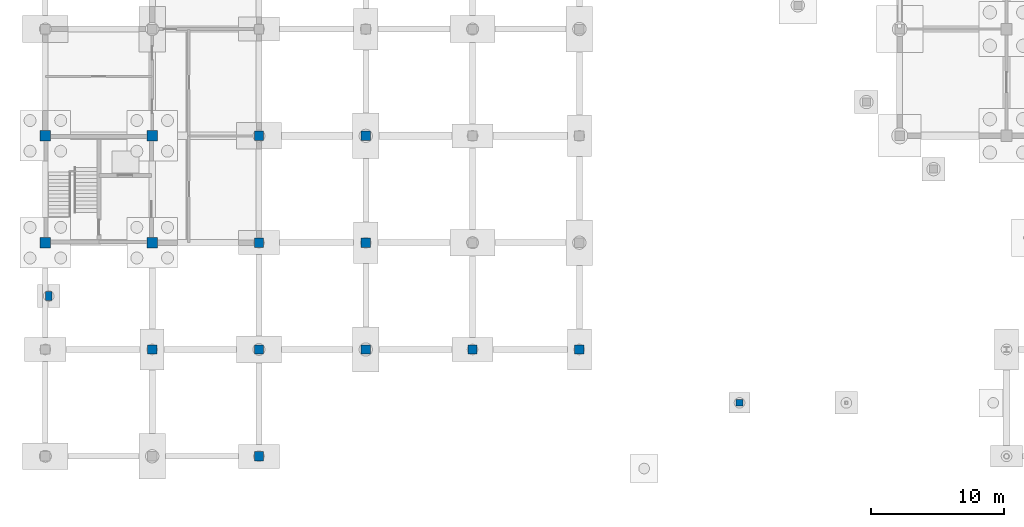
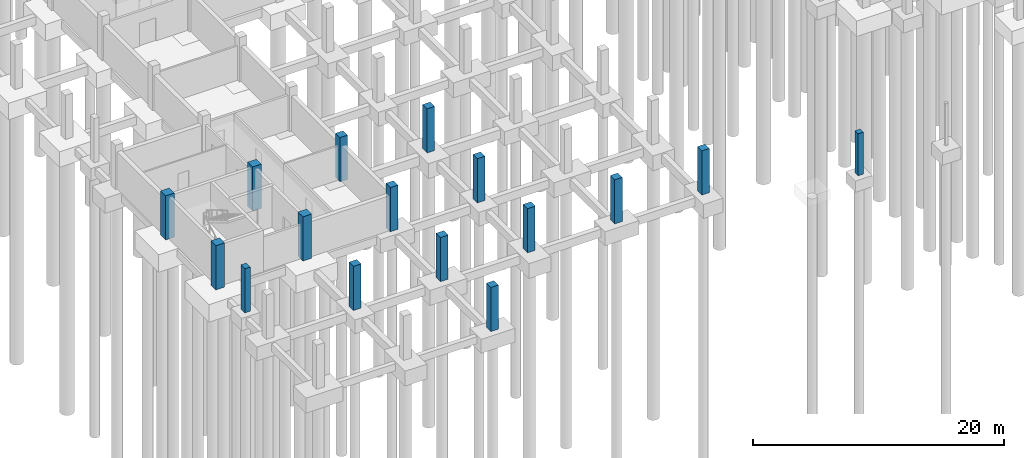
# One storey, part 12 of 48: 16 columns.
"""IFC4 building model written with IfcOpenShell, lengths in metres."""

from ifc_helpers import new_model, si_unit, derived_unit, direction, frame, origin, origin_2d, place, context, subcontext, project, spatial, rectangle, extrude, material, material_profile, profile_set, type_object, element, save


model = new_model("IFC4")

# Units and contexts
model_context = context("Model", 3, precision=1e-05, world=origin(), true_north=direction((0.0, 1.0)))
body_context = subcontext(model_context, "Body", "Model", "MODEL_VIEW")
ifc_project = project(units=[si_unit("LENGTHUNIT", "METRE"), si_unit("AREAUNIT", "SQUARE_METRE"), si_unit("VOLUMEUNIT", "CUBIC_METRE"), si_unit("PLANEANGLEUNIT", "RADIAN"), si_unit("MASSUNIT", "GRAM", prefix="KILO"), derived_unit("THERMALTRANSMITTANCEUNIT", [(si_unit("MASSUNIT", "GRAM", prefix="KILO"), 1), (si_unit("TIMEUNIT", "SECOND"), -3), (si_unit("THERMODYNAMICTEMPERATUREUNIT", "KELVIN"), -1)])], contexts=[model_context])

# Site, building, storey
site_placement = place(None, origin())
site = spatial("IfcSite", under=ifc_project, at=site_placement, CompositionType="ELEMENT")
building_placement = place(site_placement, origin())
building = spatial("IfcBuilding", under=site, at=building_placement, Name="Veyamyaing Civic Hall", CompositionType="ELEMENT")
storey_placement = place(building_placement, frame((0.0, 0.0, -4.2900390625)))
storey = spatial("IfcBuildingStorey", under=building, at=storey_placement, Name="B1", CompositionType="ELEMENT", Elevation=-4.2900390625)

# Columns
ifc_material = material(Name="Concrete C45/55", Category="concrete")
ifc_material_profile_1 = material_profile(ifc_material, rectangle(XDim=0.800048828125, YDim=0.800048828125, at=origin_2d()), Name="RC-COL-800X800")
ifc_profile_set_1 = profile_set([ifc_material_profile_1], Name="Concrete C45/55")
column_type_1 = type_object("IfcColumnType", Name="C-02", PredefinedType="COLUMN", material=ifc_profile_set_1)
for number, where, z_axis, x_axis, name in (
    (1, (0.0, 16.0, 0.0), (0.0, 0.0, 1.0), (1.0, 0.0, 0.0), "Column C-02 1-C B1"),
    (2, (0.0, 24.0, 0.0), (0.0, 0.0, 1.0), (1.0, 0.0, 0.0), "Column C-02 1-D B1"),
    (3, (8.0, 16.0, 0.0), (0.0, 0.0, 1.0), (1.0, 0.0, 0.0), "Column C-02 2-C B1"),
    (4, (8.0, 24.0, 0.0), (0.0, 0.0, 1.0), (1.0, 0.0, 0.0), "Column C-02 2-D B1"),
):
    element("IfcColumn", number, at=place(storey_placement, frame(where, z_axis=z_axis, x_axis=x_axis)), inside=storey, type_object=column_type_1, Name=name, PredefinedType="COLUMN", context=body_context, shape_type="SweptSolid", body=[
        extrude(rectangle(XDim=0.800048828125, YDim=0.800048828125, at=origin_2d()), origin(), (0.0, 0.0, 1.0), 4.2900390625),
    ])
ifc_material_profile_2 = material_profile(ifc_material, rectangle(XDim=0.699951171875, YDim=0.699951171875, at=origin_2d()), Name="RC-COL-700X700")
ifc_profile_set_2 = profile_set([ifc_material_profile_2], Name="Concrete C45/55")
column_type_2 = type_object("IfcColumnType", Name="C-04", PredefinedType="COLUMN", material=ifc_profile_set_2)
for number, where, z_axis, x_axis, name in (
    (5, (8.0, 8.0, 0.0), (0.0, 0.0, 1.0), (1.0, 0.0, 0.0), "Column C-04 2-B B1"),
    (6, (16.0, 0.0, 0.0), (0.0, 0.0, 1.0), (1.0, 0.0, 0.0), "Column C-04 3-A B1"),
    (7, (16.0, 8.0, 0.0), (0.0, 0.0, 1.0), (1.0, 0.0, 0.0), "Column C-04 3-B B1"),
    (8, (16.0, 16.0, 0.0), (0.0, 0.0, 1.0), (1.0, 0.0, 0.0), "Column C-04 3-C B1"),
    (9, (16.0, 24.0, 0.0), (0.0, 0.0, 1.0), (1.0, 0.0, 0.0), "Column C-04 3-D B1"),
    (10, (24.0, 8.0, 0.0), (0.0, 0.0, 1.0), (1.0, 0.0, 0.0), "Column C-04 4-B B1"),
    (11, (24.0, 16.0, 0.0), (0.0, 0.0, 1.0), (1.0, 0.0, 0.0), "Column C-04 4-C B1"),
    (12, (24.0, 24.0, 0.0), (0.0, 0.0, 1.0), (1.0, 0.0, 0.0), "Column C-04 4-D B1"),
    (13, (32.0, 8.0, 0.0), (0.0, 0.0, 1.0), (1.0, 0.0, 0.0), "Column C-04 5-B B1"),
    (14, (40.0, 8.0, 0.0), (0.0, 0.0, 1.0), (1.0, 0.0, 0.0), "Column C-04 6-B B1"),
):
    element("IfcColumn", number, at=place(storey_placement, frame(where, z_axis=z_axis, x_axis=x_axis)), inside=storey, type_object=column_type_2, Name=name, PredefinedType="COLUMN", context=body_context, shape_type="SweptSolid", body=[
        extrude(rectangle(XDim=0.699951171875, YDim=0.699951171875, at=origin_2d()), origin(), (0.0, 0.0, 1.0), 4.2900390625),
    ])
ifc_material_profile_3 = material_profile(ifc_material, rectangle(XDim=0.5, YDim=0.64990234375, at=origin_2d()), Name="RC-PIL-500X650")
ifc_profile_set_3 = profile_set([ifc_material_profile_3], Name="Concrete C45/55")
column_type_3 = type_object("IfcColumnType", Name="C-12", PredefinedType="PILASTER", material=ifc_profile_set_3)
column_1_placement = place(storey_placement, frame((0.25, 12.0, 0.0), z_axis=(0.0, 0.0, 1.0), x_axis=(1.0, 0.0, 0.0)))
element("IfcColumn", 15, at=column_1_placement, inside=storey, type_object=column_type_3, Name="Arcade pilaster C-12 PIL-W-01 B1", PredefinedType="PILASTER", context=body_context, shape_type="SweptSolid", body=[
    extrude(rectangle(XDim=0.5, YDim=0.64990234375, at=origin_2d()), origin(), (0.0, 0.0, 1.0), 4.2900390625),
])
ifc_material_profile_4 = material_profile(ifc_material, rectangle(XDim=0.5, YDim=0.5, at=origin_2d()), Name="RC-COL-500X500")
ifc_profile_set_4 = profile_set([ifc_material_profile_4], Name="Concrete C45/55")
column_type_4 = type_object("IfcColumnType", Name="C-15", PredefinedType="COLUMN", material=ifc_profile_set_4)
column_2_placement = place(storey_placement, frame((52.0, 4.0, 0.0), z_axis=(0.0, 0.0, 1.0), x_axis=(1.0, 0.0, 0.0)))
element("IfcColumn", 16, at=column_2_placement, inside=storey, type_object=column_type_4, Name="Forecourt colonnade pier C-15 SW", PredefinedType="COLUMN", context=body_context, shape_type="SweptSolid", body=[
    extrude(rectangle(XDim=0.5, YDim=0.5, at=origin_2d()), origin(), (0.0, 0.0, 1.0), 4.090087890625),
])

save(model, "model.ifc")
